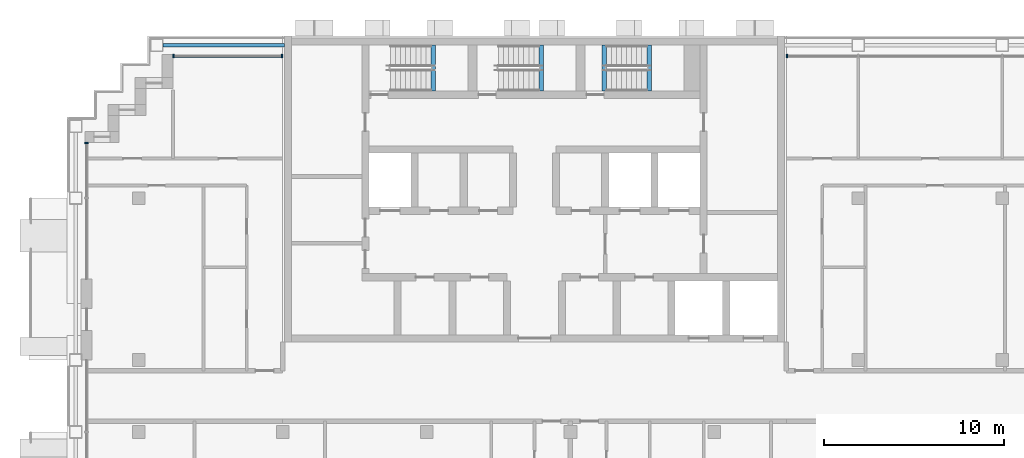
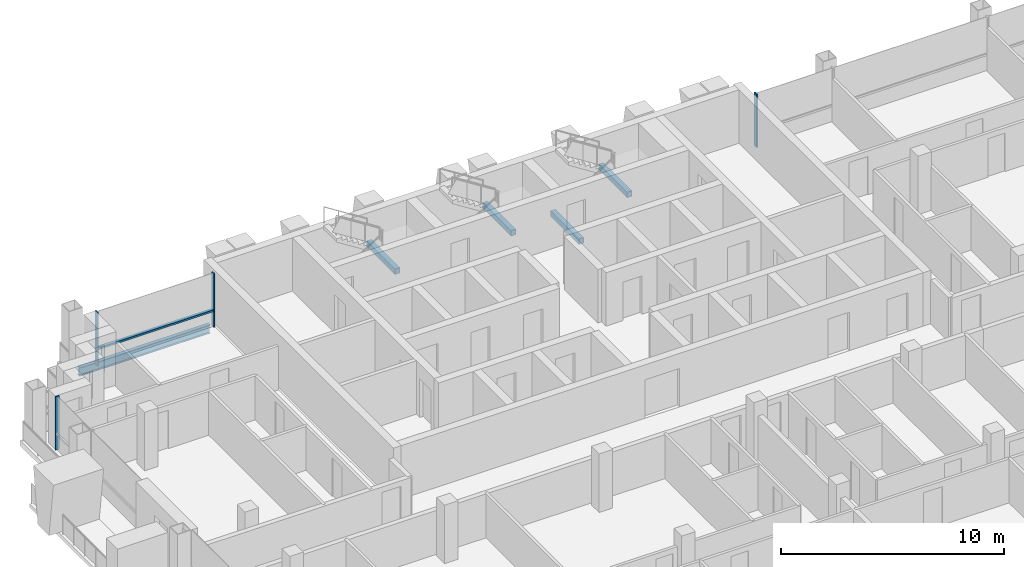
# One storey, part 4 of 16: 5 beams, 5 members, 3 elements without a shape of their own.
"""IFC4 building model written with IfcOpenShell, lengths in metres."""

from ifc_helpers import new_model, si_unit, direction, frame, origin, origin_2d, place, context, subcontext, project, spatial, rectangle, i_section, extrude, material, material_profile, profile_set, type_object, element, aggregate, save


model = new_model("IFC4")

# Units and contexts
model_context = context("Model", 3, precision=1e-05, world=origin(), true_north=direction((0.0, 1.0)))
body_context = subcontext(model_context, "Body", "Model", "MODEL_VIEW")
ifc_project = project(units=[si_unit("LENGTHUNIT", "METRE"), si_unit("AREAUNIT", "SQUARE_METRE"), si_unit("VOLUMEUNIT", "CUBIC_METRE"), si_unit("PLANEANGLEUNIT", "RADIAN"), si_unit("MASSUNIT", "GRAM", prefix="KILO")], contexts=[model_context])

# Site, building, storey
site_placement = place(None, origin())
site = spatial("IfcSite", under=ifc_project, at=site_placement, CompositionType="ELEMENT")
building_placement = place(site_placement, origin())
building = spatial("IfcBuilding", under=site, at=building_placement, Name="Vidyagriha Tower", CompositionType="ELEMENT")
storey_placement = place(building_placement, frame((0.0, 0.0, 178.10009765625)))
storey = spatial("IfcBuildingStorey", under=building, at=storey_placement, Name="L46", CompositionType="ELEMENT", Elevation=178.10009765625)

# Beam
ifc_material_1 = material(Name="Steel ASTM A992 Grade 50", Category="steel")
ifc_material_profile_1 = material_profile(ifc_material_1, i_section(OverallWidth=0.19189453125, OverallDepth=0.46240234375, WebThickness=0.010498046875, FlangeThickness=0.017578125, at=origin_2d()), Name="W18X60")
ifc_profile_set_1 = profile_set([ifc_material_profile_1], Name="Steel ASTM A992 Grade 50")
beam_type_1 = type_object("IfcBeamType", Name="Edge beam W18X60", PredefinedType="SPANDREL", material=ifc_profile_set_1)
beam_placement = place(storey_placement, frame((-20.64990234375, 19.5, -0.51123046875), z_axis=(1.0, 0.0, 0.0), x_axis=(0.0, 1.0, 0.0)))
element("IfcBeam", 1, at=beam_placement, inside=storey, type_object=beam_type_1, Name="st-beam-L46-NC20", PredefinedType="SPANDREL", context=body_context, shape_type="SweptSolid", body=[
    extrude(i_section(OverallWidth=0.19189453125, OverallDepth=0.46240234375, WebThickness=0.010498046875, FlangeThickness=0.017578125, at=origin_2d()), origin(), (0.0, 0.0, 1.0), 6.75),
])

# Curtain wall, member
ifc_material_2 = material(Name="Aluminium and glass curtain wall", Category="aluminium")
curtain_wall_type = type_object("IfcCurtainWallType", Name="Dwelling skin unitised curtain wall", PredefinedType="USERDEFINED", material=ifc_material_2)
curtain_wall_1_placement = place(storey_placement, origin())
curtain_wall_1 = element("IfcCurtainWall", 2, at=curtain_wall_1_placement, inside=storey, type_object=curtain_wall_type, Name="CW1 dwelling skin", ObjectType="UNITISED", PredefinedType="USERDEFINED")
ifc_material_3 = material(Name="Aluminium black anodised", Category="aluminium")
ifc_material_profile_2 = material_profile(ifc_material_3, rectangle(XDim=0.199951171875, YDim=0.070068359375, at=origin_2d()), Name="Mullion 70x200 black aluminium")
ifc_profile_set_2 = profile_set([ifc_material_profile_2], Name="Aluminium black anodised")
member_type_1 = type_object("IfcMemberType", Name="Mullion 70x200 black aluminium", PredefinedType="MULLION", material=ifc_profile_set_2)
member_1_placement = place(storey_placement, frame((14.034912109375, 18.89990234375, 0.0), z_axis=(0.0, 0.0, 1.0), x_axis=(0.0, -1.0, 0.0)))
member_1 = element("IfcMember", 3, at=member_1_placement, type_object=member_type_1, Name="CW1 mullion 4", PredefinedType="MULLION", context=body_context, shape_type="SweptSolid", body=[
    extrude(rectangle(XDim=0.199951171875, YDim=0.070068359375, at=origin_2d()), origin(), (0.0, 0.0, 1.0), 2.919921875),
])
aggregate(curtain_wall_1, [member_1])

# Curtain wall, members
curtain_wall_2_placement = place(storey_placement, origin())
curtain_wall_2 = element("IfcCurtainWall", 4, at=curtain_wall_2_placement, inside=storey, type_object=curtain_wall_type, Name="CW1 dwelling skin", ObjectType="UNITISED", PredefinedType="USERDEFINED")
member_2_placement = place(storey_placement, frame((-14.034912109375, 18.89990234375, 0.0), z_axis=(0.0, 0.0, 1.0), x_axis=(0.0, -1.0, 0.0)))
member_2 = element("IfcMember", 5, at=member_2_placement, type_object=member_type_1, Name="CW1 mullion 1", PredefinedType="MULLION", context=body_context, shape_type="SweptSolid", body=[
    extrude(rectangle(XDim=0.199951171875, YDim=0.070068359375, at=origin_2d()), origin(), (0.0, 0.0, 1.0), 2.919921875),
])
member_3_placement = place(storey_placement, frame((-20.06494140625, 18.89990234375, 0.0), z_axis=(0.0, 0.0, 1.0), x_axis=(0.0, -1.0, 0.0)))
member_3 = element("IfcMember", 6, at=member_3_placement, type_object=member_type_1, Name="CW1 mullion 2", PredefinedType="MULLION", context=body_context, shape_type="SweptSolid", body=[
    extrude(rectangle(XDim=0.199951171875, YDim=0.070068359375, at=origin_2d()), origin(), (0.0, 0.0, 1.0), 2.919921875),
])

# Curtain wall, member
curtain_wall_3_placement = place(storey_placement, origin())
curtain_wall_3 = element("IfcCurtainWall", 7, at=curtain_wall_3_placement, inside=storey, type_object=curtain_wall_type, Name="CW1 dwelling skin", ObjectType="UNITISED", PredefinedType="USERDEFINED")
member_4_placement = place(storey_placement, frame((-24.89990234375, 14.06494140625, 0.0)))
member_4 = element("IfcMember", 8, at=member_4_placement, type_object=member_type_1, Name="CW1 mullion 1", PredefinedType="MULLION", context=body_context, shape_type="SweptSolid", body=[
    extrude(rectangle(XDim=0.199951171875, YDim=0.070068359375, at=origin_2d()), origin(), (0.0, 0.0, 1.0), 2.919921875),
])
aggregate(curtain_wall_3, [member_4])

# Beams
ifc_material_4 = material(Name="Concrete C40/50", Category="concrete")
ifc_material_profile_3 = material_profile(ifc_material_4, rectangle(XDim=0.25, YDim=0.300048828125, at=origin_2d()), Name="Stair landing bearing beam 250x300")
ifc_profile_set_3 = profile_set([ifc_material_profile_3], Name="Concrete C40/50")
beam_type_2 = type_object("IfcBeamType", Name="Stair landing bearing beam 250x300", PredefinedType="BEAM", material=ifc_profile_set_3)
for number, where, z_axis, x_axis, name in (
    (9, (3.875, 16.949951171875, -0.43017578125), (0.0, 1.0, 0.0), (-1.0, 0.0, 0.0), "ST3 floor landing bearing beam L46"),
    (10, (-5.635009765625, 16.949951171875, 1.25), (0.0, 1.0, 0.0), (-1.0, 0.0, 0.0), "ST1 landing bearing beam L46"),
    (11, (0.364990234375, 16.949951171875, 1.25), (0.0, 1.0, 0.0), (-1.0, 0.0, 0.0), "ST2 landing bearing beam L46"),
    (12, (6.364990234375, 16.949951171875, 1.25), (0.0, 1.0, 0.0), (-1.0, 0.0, 0.0), "ST3 landing bearing beam L46"),
):
    element("IfcBeam", number, at=place(storey_placement, frame(where, z_axis=z_axis, x_axis=x_axis)), inside=storey, type_object=beam_type_2, Name=name, PredefinedType="BEAM", context=body_context, shape_type="SweptSolid", body=[
        extrude(rectangle(XDim=0.25, YDim=0.300048828125, at=origin_2d()), origin(), (0.0, 0.0, 1.0), 2.550048828125),
    ])

# Member
ifc_material_5 = material(Name="Aluminium black anodised", Category="aluminium")
ifc_material_profile_4 = material_profile(ifc_material_5, rectangle(XDim=0.159912109375, YDim=0.10009765625, at=origin_2d()), Name="Transom 100x160 black aluminium")
ifc_profile_set_4 = profile_set([ifc_material_profile_4], Name="Aluminium black anodised")
member_type_2 = type_object("IfcMemberType", Name="Transom 100x160 black aluminium", PredefinedType="USERDEFINED", material=ifc_profile_set_4)
member_5_placement = place(storey_placement, frame((-14.070068359375, 18.89990234375, 0.89990234375), z_axis=(-1.0, 0.0, 0.0), x_axis=(0.0, -1.0, 0.0)))
member_5 = element("IfcMember", 13, at=member_5_placement, type_object=member_type_2, Name="CW1 transom 1.1", ObjectType="TRANSOM", PredefinedType="USERDEFINED", context=body_context, shape_type="SweptSolid", body=[
    extrude(rectangle(XDim=0.159912109375, YDim=0.10009765625, at=origin_2d()), origin(), (0.0, 0.0, 1.0), 5.9599609375),
])

aggregate(curtain_wall_2, [member_2, member_3, member_5])

save(model, "model.ifc")
